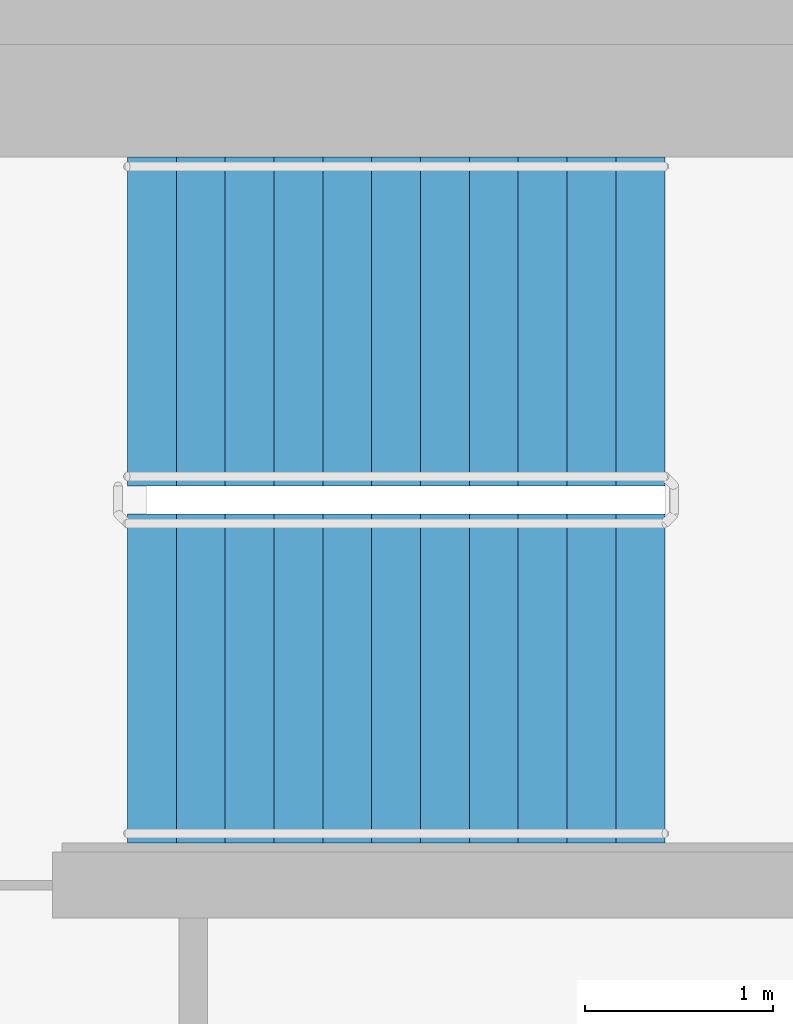
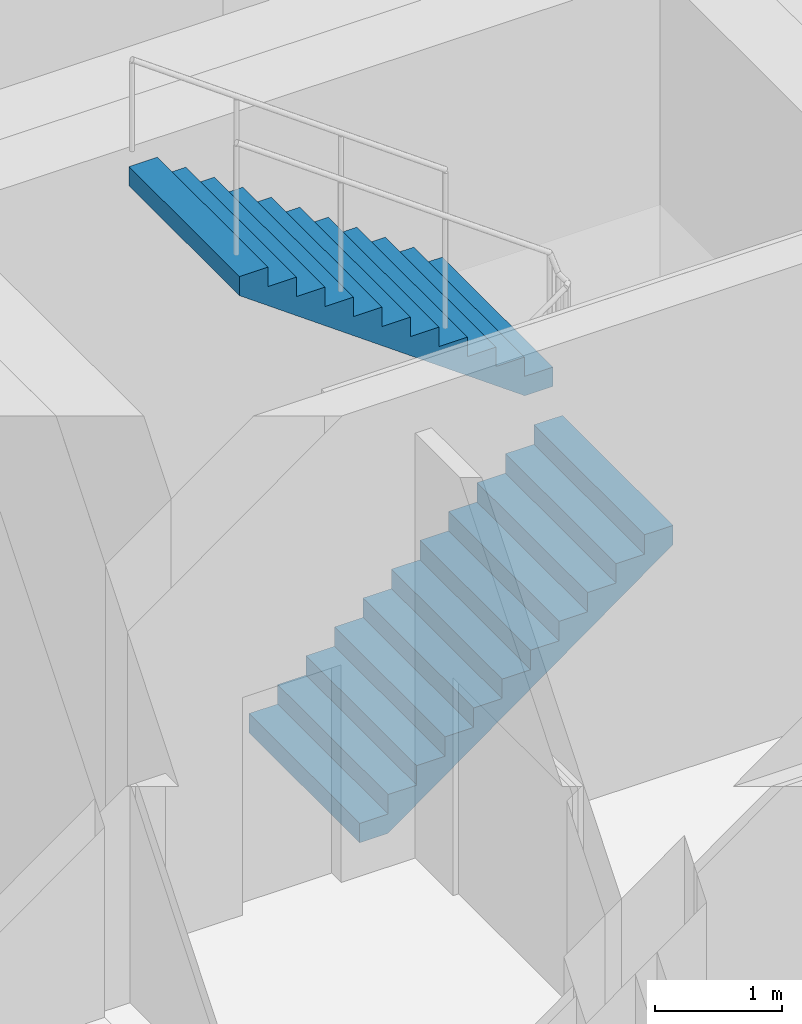
# One storey, part 12 of 16: 2 stair flights, 1 element without a shape of its own.
"""IFC4 building model written with IfcOpenShell, lengths in metres."""

import ifcopenshell
import ifcopenshell.guid

model = None  # the IFC model being written
_history = None  # IfcOwnerHistory: only IFC2X3 demands one
_inside = {}  # id of a spatial element -> (the spatial element, [elements in it])
_under = {}  # id of a project, library or spatial element -> (it, [spatial elements below it])
_declared = {}  # id of a project -> (the project, [libraries it declares])
_typed = {}  # id of a type object -> (the type object, [elements of that type])
_made_of = {}  # id of a material, layer set ... -> (it, [elements and type objects made of it])


def new_model(schema):
    """Start an empty IFC model of exactly this schema.

    Asked for "IFC4X3", IfcOpenShell would pick the latest addendum, in which some entities
    have other attributes; the version numbers below select the first issue.
    IFC2X3 requires an IfcOwnerHistory on every rooted entity: one is made here for all.
    """
    global model, _history
    if schema == "IFC4X3":
        model = ifcopenshell.file(schema_version=(4, 3, 0, 0))
    else:
        model = ifcopenshell.file(schema=schema)
    _inside.clear()
    _under.clear()
    _declared.clear()
    _typed.clear()
    _made_of.clear()
    _history = None
    if model.schema == "IFC2X3":
        org = make("IfcOrganization", Name="unknown")
        user = make(
            "IfcPersonAndOrganization",
            ThePerson=make("IfcPerson", FamilyName="unknown"),
            TheOrganization=org,
        )
        app = make(
            "IfcApplication",
            ApplicationDeveloper=org,
            Version="unknown",
            ApplicationFullName="unknown",
            ApplicationIdentifier="unknown",
        )
        _history = make(
            "IfcOwnerHistory",
            OwningUser=user,
            OwningApplication=app,
            ChangeAction="ADDED",
            CreationDate=0,
        )
    return model


def make(cls, **values):
    """One entity of the class cls with the attributes given. An attribute that is None is left unset."""
    return model.create_entity(
        cls, **{name: value for name, value in values.items() if value is not None}
    )


def rooted(cls, **values):
    """An entity with a GlobalId (a new one), such as an element, a storey or a relation."""
    return make(cls, GlobalId=ifcopenshell.guid.new(), OwnerHistory=_history, **values)


def si_unit(unit_type, name, prefix=None):
    """IfcSIUnit, for example si_unit("LENGTHUNIT", "METRE", prefix="MILLI")."""
    return make("IfcSIUnit", UnitType=unit_type, Prefix=prefix, Name=name)


def assignment(units):
    """IfcUnitAssignment: the units of a project."""
    return None if units is None else make("IfcUnitAssignment", Units=units)


def point(xyz):
    """IfcCartesianPoint."""
    return None if xyz is None else make("IfcCartesianPoint", Coordinates=xyz)


def direction(xyz):
    """IfcDirection."""
    return None if xyz is None else make("IfcDirection", DirectionRatios=xyz)


def frame(location, z_axis=None, x_axis=None):
    """IfcAxis2Placement3D, a coordinate frame: its origin and axes. An axis left out is left unset."""
    return make(
        "IfcAxis2Placement3D",
        Location=point(location),
        Axis=direction(z_axis),
        RefDirection=direction(x_axis),
    )


def origin():
    """The frame at (0, 0, 0) with its axes left unset."""
    return frame((0.0, 0.0, 0.0))


def place(relative_to, where):
    """IfcLocalPlacement: puts the frame where relative to a parent placement (None: the world)."""
    return make(
        "IfcLocalPlacement", PlacementRelTo=relative_to, RelativePlacement=where
    )


def context(
    kind, dimensions, precision=None, world=None, true_north=None, identifier=None
):
    """IfcGeometricRepresentationContext, for example the 3D "Model" context."""
    return make(
        "IfcGeometricRepresentationContext",
        ContextIdentifier=identifier,
        ContextType=kind,
        CoordinateSpaceDimension=dimensions,
        Precision=precision,
        WorldCoordinateSystem=world,
        TrueNorth=true_north,
    )


def subcontext(parent, identifier, kind, view, scale=None):
    """IfcGeometricRepresentationSubContext, for example "Body" below "Model"."""
    return make(
        "IfcGeometricRepresentationSubContext",
        ContextIdentifier=identifier,
        ContextType=kind,
        ParentContext=parent,
        TargetScale=scale,
        TargetView=view,
    )


def project(units=None, contexts=None):
    """IfcProject with its units and contexts."""
    return rooted(
        "IfcProject",
        Name="project",
        RepresentationContexts=contexts,
        UnitsInContext=assignment(units),
    )


def spatial(cls, under=None, at=None, **own):
    """A site, building, storey or space (cls), placed at a placement, below another one or the project."""
    s = rooted(cls, ObjectPlacement=at, **own)
    if under is not None:
        _under.setdefault(under.id(), (under, []))[1].append(s)
    return s


def faces_of(points, faces, orient=None, outer=None):
    """IfcFace entities. A face is a list of loops; a loop is a list of indices into points, from 0.

    orient and outer hold one flag for each loop. By default every Orientation is true, the
    first loop of a face is its IfcFaceOuterBound and the others are IfcFaceBound.
    """
    made = []
    for i, loops in enumerate(faces):
        bounds = []
        for j, loop in enumerate(loops):
            is_outer = j == 0 if outer is None else outer[i][j]
            bounds.append(
                make(
                    "IfcFaceOuterBound" if is_outer else "IfcFaceBound",
                    Bound=make("IfcPolyLoop", Polygon=[points[k] for k in loop]),
                    Orientation=True if orient is None else orient[i][j],
                )
            )
        made.append(make("IfcFace", Bounds=bounds))
    return made


def faceted_brep(points, faces, orient=None, outer=None, voids=None):
    """IfcFacetedBrep: a solid bounded by flat faces; with voids (closed shells), ...WithVoids."""
    shared = [point(p) for p in points]
    hull = make("IfcClosedShell", CfsFaces=faces_of(shared, faces, orient, outer))
    if voids is None:
        return make("IfcFacetedBrep", Outer=hull)
    return make(
        "IfcFacetedBrepWithVoids",
        Outer=hull,
        Voids=[
            make(cls, CfsFaces=faces_of(shared, fs, o, b)) for cls, fs, o, b in voids
        ],
    )


def shape(context_of_items, identifier, shape_type, items):
    """IfcShapeRepresentation: the items that make up one representation, for example the "Body"."""
    return make(
        "IfcShapeRepresentation",
        ContextOfItems=context_of_items,
        RepresentationIdentifier=identifier,
        RepresentationType=shape_type,
        Items=items,
    )


def material(Name=None, Category=None):
    """IfcMaterial."""
    return make("IfcMaterial", Name=Name, Category=Category)


def made_of(thing, what):
    """Note that an element or type object is made of a material, layer set ...; save() writes the relation."""
    if what is not None:
        _made_of.setdefault(what.id(), (what, []))[1].append(thing)
    return thing


def type_object(cls, material=None, **own):
    """A type object (cls), such as IfcWallType, which elements share."""
    return made_of(rooted(cls, **own), material)


def element(
    cls,
    number,
    at=None,
    inside=None,
    cuts=None,
    type_object=None,
    material=None,
    context=None,
    identifier="Body",
    shape_type=None,
    held_by="IfcProductDefinitionShape",
    body=None,
    shapes=None,
    **own,
):
    """One element of the class cls, such as IfcWall. Its Tag is "e" and its number.

    at: its placement. inside: the storey or other place that contains it. cuts: it is an
    opening in that element (IfcRelVoidsElement). A single representation is given by context,
    identifier, shape_type and body (its items); several are given by shapes. held_by: the class
    of the entity that holds the representations. save() writes the other relations.
    """
    e = rooted(cls, Tag="e%d" % number, ObjectPlacement=at, **own)
    if body is not None:
        shapes = [shape(context, identifier, shape_type, body)]
    if shapes is not None:
        e.Representation = make(held_by, Representations=shapes)
    if inside is not None:
        _inside.setdefault(inside.id(), (inside, []))[1].append(e)
    if cuts is not None:
        rooted(
            "IfcRelVoidsElement", RelatingBuildingElement=cuts, RelatedOpeningElement=e
        )
    if type_object is not None:
        _typed.setdefault(type_object.id(), (type_object, []))[1].append(e)
    return made_of(e, material)


def aggregate(whole, parts):
    """IfcRelAggregates: a whole, such as a stair, and the parts it consists of."""
    return rooted("IfcRelAggregates", RelatingObject=whole, RelatedObjects=parts)


def save(model, path):
    """Write the relations noted so far, then the file.

    IfcRelAggregates (storeys below a building ...), IfcRelContainedInSpatialStructure (elements
    in a storey), IfcRelDefinesByType, IfcRelAssociatesMaterial and IfcRelDeclares: one each for
    every whole, place, type object, material and project.
    """
    for whole, parts in _under.values():
        aggregate(whole, parts)
    for where, things in _inside.values():
        rooted(
            "IfcRelContainedInSpatialStructure",
            RelatedElements=things,
            RelatingStructure=where,
        )
    for kind, things in _typed.values():
        rooted("IfcRelDefinesByType", RelatedObjects=things, RelatingType=kind)
    for what, things in _made_of.values():
        rooted("IfcRelAssociatesMaterial", RelatedObjects=things, RelatingMaterial=what)
    for by, libraries in _declared.values():
        rooted("IfcRelDeclares", RelatingContext=by, RelatedDefinitions=libraries)
    model.write(path)


model = new_model("IFC4")

# Units and contexts
model_context = context("Model", 3, precision=1e-05, world=origin(), true_north=direction((0.0, 1.0)))
body_context = subcontext(model_context, "Body", "Model", "MODEL_VIEW")
ifc_project = project(units=[si_unit("LENGTHUNIT", "METRE"), si_unit("AREAUNIT", "SQUARE_METRE"), si_unit("VOLUMEUNIT", "CUBIC_METRE"), si_unit("PLANEANGLEUNIT", "RADIAN"), si_unit("MASSUNIT", "GRAM", prefix="KILO")], contexts=[model_context])

# Site, building, storey
site_placement = place(None, origin())
site = spatial("IfcSite", under=ifc_project, at=site_placement, CompositionType="ELEMENT")
building_placement = place(site_placement, origin())
building = spatial("IfcBuilding", under=site, at=building_placement, Name="Ipe Terrace Towers", CompositionType="ELEMENT")
storey_placement = place(building_placement, frame((0.0, 0.0, 233.39990234375)))
storey = spatial("IfcBuildingStorey", under=building, at=storey_placement, Name="L65", CompositionType="ELEMENT", Elevation=233.39990234375)

# Stair, stair flights
ifc_material_1 = material(Name="Concrete C30/37", Category="concrete")
stair_type = type_object("IfcStairType", Name="Protected exit stair", PredefinedType="HALF_TURN_STAIR", material=ifc_material_1)
stair_placement = place(storey_placement, origin())
stair = element("IfcStair", 1, at=stair_placement, inside=storey, type_object=stair_type, Name="L65 Exit stair T1-C1", PredefinedType="HALF_TURN_STAIR")
ifc_material_2 = material(Name="Concrete C30/37", Category="concrete")
stair_flight_type = type_object("IfcStairFlightType", Name="Exit stair flight 1750", PredefinedType="STRAIGHT", material=ifc_material_2)
stair_flight_1_placement = place(storey_placement, frame((-26.300048828125, 2.77490234375, 0.0), z_axis=(0.0, 0.0, 1.0), x_axis=(1.0, 0.0, 0.0)))
stair_flight_1 = element("IfcStairFlight", 2, at=stair_flight_1_placement, type_object=stair_flight_type, Name="T1-ST1 flight 1", NumberOfRisers=12, NumberOfTreads=11, PredefinedType="STRAIGHT", RiserHeight=0.1875, TreadLength=0.26, context=body_context, shape_type="Brep", body=[
    faceted_brep([(0.25634765625, -0.875, 0.0), (2.860107421875, -0.875, 1.877685546875), (2.860107421875, -0.875, 2.0625), (2.60009765625, -0.875, 2.0625), (2.60009765625, -0.875, 1.875), (2.340087890625, -0.875, 1.875), (2.340087890625, -0.875, 1.6875), (2.080078125, -0.875, 1.6875), (2.080078125, -0.875, 1.5), (1.820068359375, -0.875, 1.5), (1.820068359375, -0.875, 1.3125), (1.56005859375, -0.875, 1.3125), (1.56005859375, -0.875, 1.125), (1.300048828125, -0.875, 1.125), (1.300048828125, -0.875, 0.9375), (1.0400390625, -0.875, 0.9375), (1.0400390625, -0.875, 0.75), (0.780029296875, -0.875, 0.75), (0.780029296875, -0.875, 0.5625), (0.52001953125, -0.875, 0.5625), (0.52001953125, -0.875, 0.375), (0.260009765625, -0.875, 0.375), (0.260009765625, -0.875, 0.1875), (0.0, -0.875, 0.1875), (0.0, -0.875, 0.0), (0.0, 0.875, 0.0), (0.0, 0.875, 0.1875), (0.260009765625, 0.875, 0.1875), (0.260009765625, 0.875, 0.375), (0.52001953125, 0.875, 0.375), (0.52001953125, 0.875, 0.5625), (0.780029296875, 0.875, 0.5625), (0.780029296875, 0.875, 0.75), (1.0400390625, 0.875, 0.75), (1.0400390625, 0.875, 0.9375), (1.300048828125, 0.875, 0.9375), (1.300048828125, 0.875, 1.125), (1.56005859375, 0.875, 1.125), (1.56005859375, 0.875, 1.3125), (1.820068359375, 0.875, 1.3125), (1.820068359375, 0.875, 1.5), (2.080078125, 0.875, 1.5), (2.080078125, 0.875, 1.6875), (2.340087890625, 0.875, 1.6875), (2.340087890625, 0.875, 1.875), (2.60009765625, 0.875, 1.875), (2.60009765625, 0.875, 2.0625), (2.860107421875, 0.875, 2.0625), (2.860107421875, 0.875, 1.877685546875), (0.25634765625, 0.875, 0.0), (0.0, -0.300048828125, 0.1875), (0.0, -0.1201171875, 0.1875), (0.0, -0.06005859375, 0.1875), (0.0, -0.030029296875, 0.1875), (0.0, -0.010009765625, 0.1875), (0.0, 0.0, 0.1875), (0.0, 0.010009765625, 0.1875), (0.0, 0.030029296875, 0.1875), (0.0, 0.06005859375, 0.1875), (0.0, 0.1201171875, 0.1875), (0.0, 0.300048828125, 0.1875), (0.0, 0.300048828125, 0.0), (0.0, 0.1201171875, 0.0), (0.0, 0.06005859375, 0.0), (0.0, 0.030029296875, 0.0), (0.0, 0.010009765625, 0.0), (0.0, 0.0, 0.0), (0.0, -0.010009765625, 0.0), (0.0, -0.030029296875, 0.0), (0.0, -0.06005859375, 0.0), (0.0, -0.1201171875, 0.0), (0.0, -0.300048828125, 0.0), (0.260009765625, -0.300048828125, 0.1875), (0.260009765625, -0.1201171875, 0.1875), (0.260009765625, -0.06005859375, 0.1875), (0.260009765625, -0.030029296875, 0.1875), (0.260009765625, -0.010009765625, 0.1875), (0.260009765625, 0.0, 0.1875), (0.260009765625, 0.010009765625, 0.1875), (0.260009765625, 0.030029296875, 0.1875), (0.260009765625, 0.06005859375, 0.1875), (0.260009765625, 0.1201171875, 0.1875), (0.260009765625, 0.300048828125, 0.1875), (0.260009765625, -0.300048828125, 0.375), (0.260009765625, -0.1201171875, 0.375), (0.260009765625, -0.06005859375, 0.375), (0.260009765625, -0.030029296875, 0.375), (0.260009765625, -0.010009765625, 0.375), (0.260009765625, 0.0, 0.375), (0.260009765625, 0.010009765625, 0.375), (0.260009765625, 0.030029296875, 0.375), (0.260009765625, 0.06005859375, 0.375), (0.260009765625, 0.1201171875, 0.375), (0.260009765625, 0.300048828125, 0.375), (0.52001953125, -0.300048828125, 0.375), (0.52001953125, -0.1201171875, 0.375), (0.52001953125, -0.06005859375, 0.375), (0.52001953125, -0.030029296875, 0.375), (0.52001953125, -0.010009765625, 0.375), (0.52001953125, 0.0, 0.375), (0.52001953125, 0.010009765625, 0.375), (0.52001953125, 0.030029296875, 0.375), (0.52001953125, 0.06005859375, 0.375), (0.52001953125, 0.1201171875, 0.375), (0.52001953125, 0.300048828125, 0.375), (0.52001953125, -0.300048828125, 0.5625), (0.52001953125, -0.1201171875, 0.5625), (0.52001953125, -0.06005859375, 0.5625), (0.52001953125, -0.030029296875, 0.5625), (0.52001953125, -0.010009765625, 0.5625), (0.52001953125, 0.0, 0.5625), (0.52001953125, 0.010009765625, 0.5625), (0.52001953125, 0.030029296875, 0.5625), (0.52001953125, 0.06005859375, 0.5625), (0.52001953125, 0.1201171875, 0.5625), (0.52001953125, 0.300048828125, 0.5625), (0.780029296875, -0.300048828125, 0.5625), (0.780029296875, -0.1201171875, 0.5625), (0.780029296875, -0.06005859375, 0.5625), (0.780029296875, -0.030029296875, 0.5625), (0.780029296875, -0.010009765625, 0.5625), (0.780029296875, 0.0, 0.5625), (0.780029296875, 0.010009765625, 0.5625), (0.780029296875, 0.030029296875, 0.5625), (0.780029296875, 0.06005859375, 0.5625), (0.780029296875, 0.1201171875, 0.5625), (0.780029296875, 0.300048828125, 0.5625), (0.780029296875, -0.300048828125, 0.75), (0.780029296875, -0.1201171875, 0.75), (0.780029296875, -0.06005859375, 0.75), (0.780029296875, -0.030029296875, 0.75), (0.780029296875, -0.010009765625, 0.75), (0.780029296875, 0.0, 0.75), (0.780029296875, 0.010009765625, 0.75), (0.780029296875, 0.030029296875, 0.75), (0.780029296875, 0.06005859375, 0.75), (0.780029296875, 0.1201171875, 0.75), (0.780029296875, 0.300048828125, 0.75), (1.0400390625, -0.300048828125, 0.75), (1.0400390625, -0.1201171875, 0.75), (1.0400390625, -0.06005859375, 0.75), (1.0400390625, -0.030029296875, 0.75), (1.0400390625, -0.010009765625, 0.75), (1.0400390625, 0.0, 0.75), (1.0400390625, 0.010009765625, 0.75), (1.0400390625, 0.030029296875, 0.75), (1.0400390625, 0.06005859375, 0.75), (1.0400390625, 0.1201171875, 0.75), (1.0400390625, 0.300048828125, 0.75), (1.0400390625, -0.300048828125, 0.9375), (1.0400390625, -0.1201171875, 0.9375), (1.0400390625, -0.06005859375, 0.9375), (1.0400390625, -0.030029296875, 0.9375), (1.0400390625, -0.010009765625, 0.9375), (1.0400390625, 0.0, 0.9375), (1.0400390625, 0.010009765625, 0.9375), (1.0400390625, 0.030029296875, 0.9375), (1.0400390625, 0.06005859375, 0.9375), (1.0400390625, 0.1201171875, 0.9375), (1.0400390625, 0.300048828125, 0.9375), (1.300048828125, -0.300048828125, 0.9375), (1.300048828125, -0.1201171875, 0.9375), (1.300048828125, -0.06005859375, 0.9375), (1.300048828125, -0.030029296875, 0.9375), (1.300048828125, -0.010009765625, 0.9375), (1.300048828125, 0.0, 0.9375), (1.300048828125, 0.010009765625, 0.9375), (1.300048828125, 0.030029296875, 0.9375), (1.300048828125, 0.06005859375, 0.9375), (1.300048828125, 0.1201171875, 0.9375), (1.300048828125, 0.300048828125, 0.9375), (1.300048828125, -0.300048828125, 1.125), (1.300048828125, -0.1201171875, 1.125), (1.300048828125, -0.06005859375, 1.125), (1.300048828125, -0.030029296875, 1.125), (1.300048828125, -0.010009765625, 1.125), (1.300048828125, 0.0, 1.125), (1.300048828125, 0.010009765625, 1.125), (1.300048828125, 0.030029296875, 1.125), (1.300048828125, 0.06005859375, 1.125), (1.300048828125, 0.1201171875, 1.125), (1.300048828125, 0.300048828125, 1.125), (1.56005859375, -0.300048828125, 1.125), (1.56005859375, -0.1201171875, 1.125), (1.56005859375, -0.06005859375, 1.125), (1.56005859375, -0.030029296875, 1.125), (1.56005859375, -0.010009765625, 1.125), (1.56005859375, 0.0, 1.125), (1.56005859375, 0.010009765625, 1.125), (1.56005859375, 0.030029296875, 1.125), (1.56005859375, 0.06005859375, 1.125), (1.56005859375, 0.1201171875, 1.125), (1.56005859375, 0.300048828125, 1.125), (1.56005859375, -0.300048828125, 1.3125), (1.56005859375, -0.1201171875, 1.3125), (1.56005859375, -0.06005859375, 1.3125), (1.56005859375, -0.030029296875, 1.3125), (1.56005859375, -0.010009765625, 1.3125), (1.56005859375, 0.0, 1.3125), (1.56005859375, 0.010009765625, 1.3125), (1.56005859375, 0.030029296875, 1.3125), (1.56005859375, 0.06005859375, 1.3125), (1.56005859375, 0.1201171875, 1.3125), (1.56005859375, 0.300048828125, 1.3125), (1.820068359375, -0.300048828125, 1.3125), (1.820068359375, -0.1201171875, 1.3125), (1.820068359375, -0.06005859375, 1.3125), (1.820068359375, -0.030029296875, 1.3125), (1.820068359375, -0.010009765625, 1.3125), (1.820068359375, 0.0, 1.3125), (1.820068359375, 0.010009765625, 1.3125), (1.820068359375, 0.030029296875, 1.3125), (1.820068359375, 0.06005859375, 1.3125), (1.820068359375, 0.1201171875, 1.3125), (1.820068359375, 0.300048828125, 1.3125), (1.820068359375, -0.300048828125, 1.5), (1.820068359375, -0.1201171875, 1.5), (1.820068359375, -0.06005859375, 1.5), (1.820068359375, -0.030029296875, 1.5), (1.820068359375, -0.010009765625, 1.5), (1.820068359375, 0.0, 1.5), (1.820068359375, 0.010009765625, 1.5), (1.820068359375, 0.030029296875, 1.5), (1.820068359375, 0.06005859375, 1.5), (1.820068359375, 0.1201171875, 1.5), (1.820068359375, 0.300048828125, 1.5), (2.080078125, -0.300048828125, 1.5), (2.080078125, -0.1201171875, 1.5), (2.080078125, -0.06005859375, 1.5), (2.080078125, -0.030029296875, 1.5), (2.080078125, -0.010009765625, 1.5), (2.080078125, 0.0, 1.5), (2.080078125, 0.010009765625, 1.5), (2.080078125, 0.030029296875, 1.5), (2.080078125, 0.06005859375, 1.5), (2.080078125, 0.1201171875, 1.5), (2.080078125, 0.300048828125, 1.5), (2.080078125, -0.300048828125, 1.6875), (2.080078125, -0.1201171875, 1.6875), (2.080078125, -0.06005859375, 1.6875), (2.080078125, -0.030029296875, 1.6875), (2.080078125, -0.010009765625, 1.6875), (2.080078125, 0.0, 1.6875), (2.080078125, 0.010009765625, 1.6875), (2.080078125, 0.030029296875, 1.6875), (2.080078125, 0.06005859375, 1.6875), (2.080078125, 0.1201171875, 1.6875), (2.080078125, 0.300048828125, 1.6875), (2.340087890625, -0.300048828125, 1.6875), (2.340087890625, -0.1201171875, 1.6875), (2.340087890625, -0.06005859375, 1.6875), (2.340087890625, -0.030029296875, 1.6875), (2.340087890625, -0.010009765625, 1.6875), (2.340087890625, 0.0, 1.6875), (2.340087890625, 0.010009765625, 1.6875), (2.340087890625, 0.030029296875, 1.6875), (2.340087890625, 0.06005859375, 1.6875), (2.340087890625, 0.1201171875, 1.6875), (2.340087890625, 0.300048828125, 1.6875), (2.340087890625, -0.300048828125, 1.875), (2.340087890625, -0.1201171875, 1.875), (2.340087890625, -0.06005859375, 1.875), (2.340087890625, -0.030029296875, 1.875), (2.340087890625, -0.010009765625, 1.875), (2.340087890625, 0.0, 1.875), (2.340087890625, 0.010009765625, 1.875), (2.340087890625, 0.030029296875, 1.875), (2.340087890625, 0.06005859375, 1.875), (2.340087890625, 0.1201171875, 1.875), (2.340087890625, 0.300048828125, 1.875), (2.60009765625, -0.300048828125, 1.875), (2.60009765625, -0.1201171875, 1.875), (2.60009765625, -0.06005859375, 1.875), (2.60009765625, -0.030029296875, 1.875), (2.60009765625, -0.010009765625, 1.875), (2.60009765625, 0.0, 1.875), (2.60009765625, 0.010009765625, 1.875), (2.60009765625, 0.030029296875, 1.875), (2.60009765625, 0.06005859375, 1.875), (2.60009765625, 0.1201171875, 1.875), (2.60009765625, 0.300048828125, 1.875), (2.60009765625, -0.300048828125, 2.0625), (2.60009765625, -0.1201171875, 2.0625), (2.60009765625, -0.06005859375, 2.0625), (2.60009765625, -0.030029296875, 2.0625), (2.60009765625, -0.010009765625, 2.0625), (2.60009765625, 0.0, 2.0625), (2.60009765625, 0.010009765625, 2.0625), (2.60009765625, 0.030029296875, 2.0625), (2.60009765625, 0.06005859375, 2.0625), (2.60009765625, 0.1201171875, 2.0625), (2.60009765625, 0.300048828125, 2.0625), (2.860107421875, -0.300048828125, 2.0625), (2.860107421875, -0.1201171875, 2.0625), (2.860107421875, -0.06005859375, 2.0625), (2.860107421875, -0.030029296875, 2.0625), (2.860107421875, -0.010009765625, 2.0625), (2.860107421875, 0.0, 2.0625), (2.860107421875, 0.010009765625, 2.0625), (2.860107421875, 0.030029296875, 2.0625), (2.860107421875, 0.06005859375, 2.0625), (2.860107421875, 0.1201171875, 2.0625), (2.860107421875, 0.300048828125, 2.0625), (2.860107421875, -0.300048828125, 1.877685546875), (2.860107421875, -0.1201171875, 1.877685546875), (2.860107421875, -0.06005859375, 1.877685546875), (2.860107421875, -0.030029296875, 1.877685546875), (2.860107421875, -0.010009765625, 1.877685546875), (2.860107421875, 0.0, 1.877685546875), (2.860107421875, 0.010009765625, 1.877685546875), (2.860107421875, 0.030029296875, 1.877685546875), (2.860107421875, 0.06005859375, 1.877685546875), (2.860107421875, 0.1201171875, 1.877685546875), (2.860107421875, 0.300048828125, 1.877685546875), (0.25634765625, -0.300048828125, 0.0), (0.25634765625, -0.1201171875, 0.0), (0.25634765625, -0.06005859375, 0.0), (0.25634765625, -0.030029296875, 0.0), (0.25634765625, -0.010009765625, 0.0), (0.25634765625, 0.0, 0.0), (0.25634765625, 0.010009765625, 0.0), (0.25634765625, 0.030029296875, 0.0), (0.25634765625, 0.06005859375, 0.0), (0.25634765625, 0.1201171875, 0.0), (0.25634765625, 0.300048828125, 0.0)], [[[0, 1, 2, 3, 4, 5, 6, 7, 8, 9, 10, 11, 12, 13, 14, 15, 16, 17, 18, 19, 20, 21, 22, 23, 24]], [[25, 26, 27, 28, 29, 30, 31, 32, 33, 34, 35, 36, 37, 38, 39, 40, 41, 42, 43, 44, 45, 46, 47, 48, 49]], [[23, 50, 51, 52, 53, 54, 55, 56, 57, 58, 59, 60, 26, 25, 61, 62, 63, 64, 65, 66, 67, 68, 69, 70, 71, 24]], [[22, 72, 73, 74, 75, 76, 77, 78, 79, 80, 81, 82, 27, 26, 60, 59, 58, 57, 56, 55, 54, 53, 52, 51, 50, 23]], [[21, 83, 84, 85, 86, 87, 88, 89, 90, 91, 92, 93, 28, 27, 82, 81, 80, 79, 78, 77, 76, 75, 74, 73, 72, 22]], [[20, 94, 95, 96, 97, 98, 99, 100, 101, 102, 103, 104, 29, 28, 93, 92, 91, 90, 89, 88, 87, 86, 85, 84, 83, 21]], [[19, 105, 106, 107, 108, 109, 110, 111, 112, 113, 114, 115, 30, 29, 104, 103, 102, 101, 100, 99, 98, 97, 96, 95, 94, 20]], [[18, 116, 117, 118, 119, 120, 121, 122, 123, 124, 125, 126, 31, 30, 115, 114, 113, 112, 111, 110, 109, 108, 107, 106, 105, 19]], [[17, 127, 128, 129, 130, 131, 132, 133, 134, 135, 136, 137, 32, 31, 126, 125, 124, 123, 122, 121, 120, 119, 118, 117, 116, 18]], [[16, 138, 139, 140, 141, 142, 143, 144, 145, 146, 147, 148, 33, 32, 137, 136, 135, 134, 133, 132, 131, 130, 129, 128, 127, 17]], [[15, 149, 150, 151, 152, 153, 154, 155, 156, 157, 158, 159, 34, 33, 148, 147, 146, 145, 144, 143, 142, 141, 140, 139, 138, 16]], [[14, 160, 161, 162, 163, 164, 165, 166, 167, 168, 169, 170, 35, 34, 159, 158, 157, 156, 155, 154, 153, 152, 151, 150, 149, 15]], [[13, 171, 172, 173, 174, 175, 176, 177, 178, 179, 180, 181, 36, 35, 170, 169, 168, 167, 166, 165, 164, 163, 162, 161, 160, 14]], [[12, 182, 183, 184, 185, 186, 187, 188, 189, 190, 191, 192, 37, 36, 181, 180, 179, 178, 177, 176, 175, 174, 173, 172, 171, 13]], [[11, 193, 194, 195, 196, 197, 198, 199, 200, 201, 202, 203, 38, 37, 192, 191, 190, 189, 188, 187, 186, 185, 184, 183, 182, 12]], [[10, 204, 205, 206, 207, 208, 209, 210, 211, 212, 213, 214, 39, 38, 203, 202, 201, 200, 199, 198, 197, 196, 195, 194, 193, 11]], [[9, 215, 216, 217, 218, 219, 220, 221, 222, 223, 224, 225, 40, 39, 214, 213, 212, 211, 210, 209, 208, 207, 206, 205, 204, 10]], [[8, 226, 227, 228, 229, 230, 231, 232, 233, 234, 235, 236, 41, 40, 225, 224, 223, 222, 221, 220, 219, 218, 217, 216, 215, 9]], [[7, 237, 238, 239, 240, 241, 242, 243, 244, 245, 246, 247, 42, 41, 236, 235, 234, 233, 232, 231, 230, 229, 228, 227, 226, 8]], [[6, 248, 249, 250, 251, 252, 253, 254, 255, 256, 257, 258, 43, 42, 247, 246, 245, 244, 243, 242, 241, 240, 239, 238, 237, 7]], [[5, 259, 260, 261, 262, 263, 264, 265, 266, 267, 268, 269, 44, 43, 258, 257, 256, 255, 254, 253, 252, 251, 250, 249, 248, 6]], [[4, 270, 271, 272, 273, 274, 275, 276, 277, 278, 279, 280, 45, 44, 269, 268, 267, 266, 265, 264, 263, 262, 261, 260, 259, 5]], [[3, 281, 282, 283, 284, 285, 286, 287, 288, 289, 290, 291, 46, 45, 280, 279, 278, 277, 276, 275, 274, 273, 272, 271, 270, 4]], [[2, 292, 293, 294, 295, 296, 297, 298, 299, 300, 301, 302, 47, 46, 291, 290, 289, 288, 287, 286, 285, 284, 283, 282, 281, 3]], [[1, 303, 304, 305, 306, 307, 308, 309, 310, 311, 312, 313, 48, 47, 302, 301, 300, 299, 298, 297, 296, 295, 294, 293, 292, 2]], [[0, 314, 315, 316, 317, 318, 319, 320, 321, 322, 323, 324, 49, 48, 313, 312, 311, 310, 309, 308, 307, 306, 305, 304, 303, 1]], [[24, 71, 70, 69, 68, 67, 66, 65, 64, 63, 62, 61, 25, 49, 324, 323, 322, 321, 320, 319, 318, 317, 316, 315, 314, 0]]]),
])
stair_flight_2_placement = place(storey_placement, frame((-23.43994140625, 4.675048828125, 2.25), z_axis=(0.0, 0.0, 1.0), x_axis=(-1.0, 0.0, 0.0)))
stair_flight_2 = element("IfcStairFlight", 3, at=stair_flight_2_placement, type_object=stair_flight_type, Name="T1-ST1 flight 2", NumberOfRisers=12, NumberOfTreads=11, PredefinedType="STRAIGHT", RiserHeight=0.1875, TreadLength=0.26, context=body_context, shape_type="Brep", body=[
    faceted_brep([(0.25634765625, -0.875, 0.0), (2.860107421875, -0.875, 1.877685546875), (2.860107421875, -0.875, 2.0625), (2.60009765625, -0.875, 2.0625), (2.60009765625, -0.875, 1.875), (2.340087890625, -0.875, 1.875), (2.340087890625, -0.875, 1.6875), (2.080078125, -0.875, 1.6875), (2.080078125, -0.875, 1.5), (1.820068359375, -0.875, 1.5), (1.820068359375, -0.875, 1.3125), (1.56005859375, -0.875, 1.3125), (1.56005859375, -0.875, 1.125), (1.300048828125, -0.875, 1.125), (1.300048828125, -0.875, 0.9375), (1.0400390625, -0.875, 0.9375), (1.0400390625, -0.875, 0.75), (0.780029296875, -0.875, 0.75), (0.780029296875, -0.875, 0.5625), (0.52001953125, -0.875, 0.5625), (0.52001953125, -0.875, 0.375), (0.260009765625, -0.875, 0.375), (0.260009765625, -0.875, 0.1875), (0.0, -0.875, 0.1875), (0.0, -0.875, 0.0), (0.0, 0.875, 0.0), (0.0, 0.875, 0.1875), (0.260009765625, 0.875, 0.1875), (0.260009765625, 0.875, 0.375), (0.52001953125, 0.875, 0.375), (0.52001953125, 0.875, 0.5625), (0.780029296875, 0.875, 0.5625), (0.780029296875, 0.875, 0.75), (1.0400390625, 0.875, 0.75), (1.0400390625, 0.875, 0.9375), (1.300048828125, 0.875, 0.9375), (1.300048828125, 0.875, 1.125), (1.56005859375, 0.875, 1.125), (1.56005859375, 0.875, 1.3125), (1.820068359375, 0.875, 1.3125), (1.820068359375, 0.875, 1.5), (2.080078125, 0.875, 1.5), (2.080078125, 0.875, 1.6875), (2.340087890625, 0.875, 1.6875), (2.340087890625, 0.875, 1.875), (2.60009765625, 0.875, 1.875), (2.60009765625, 0.875, 2.0625), (2.860107421875, 0.875, 2.0625), (2.860107421875, 0.875, 1.877685546875), (0.25634765625, 0.875, 0.0), (0.0, -0.300048828125, 0.1875), (0.0, -0.1201171875, 0.1875), (0.0, -0.06005859375, 0.1875), (0.0, -0.030029296875, 0.1875), (0.0, -0.010009765625, 0.1875), (0.0, 0.0, 0.1875), (0.0, 0.010009765625, 0.1875), (0.0, 0.030029296875, 0.1875), (0.0, 0.06005859375, 0.1875), (0.0, 0.1201171875, 0.1875), (0.0, 0.300048828125, 0.1875), (0.0, 0.300048828125, 0.0), (0.0, 0.1201171875, 0.0), (0.0, 0.06005859375, 0.0), (0.0, 0.030029296875, 0.0), (0.0, 0.010009765625, 0.0), (0.0, 0.0, 0.0), (0.0, -0.010009765625, 0.0), (0.0, -0.030029296875, 0.0), (0.0, -0.06005859375, 0.0), (0.0, -0.1201171875, 0.0), (0.0, -0.300048828125, 0.0), (0.260009765625, -0.300048828125, 0.1875), (0.260009765625, -0.1201171875, 0.1875), (0.260009765625, -0.06005859375, 0.1875), (0.260009765625, -0.030029296875, 0.1875), (0.260009765625, -0.010009765625, 0.1875), (0.260009765625, 0.0, 0.1875), (0.260009765625, 0.010009765625, 0.1875), (0.260009765625, 0.030029296875, 0.1875), (0.260009765625, 0.06005859375, 0.1875), (0.260009765625, 0.1201171875, 0.1875), (0.260009765625, 0.300048828125, 0.1875), (0.260009765625, -0.300048828125, 0.375), (0.260009765625, -0.1201171875, 0.375), (0.260009765625, -0.06005859375, 0.375), (0.260009765625, -0.030029296875, 0.375), (0.260009765625, -0.010009765625, 0.375), (0.260009765625, 0.0, 0.375), (0.260009765625, 0.010009765625, 0.375), (0.260009765625, 0.030029296875, 0.375), (0.260009765625, 0.06005859375, 0.375), (0.260009765625, 0.1201171875, 0.375), (0.260009765625, 0.300048828125, 0.375), (0.52001953125, -0.300048828125, 0.375), (0.52001953125, -0.1201171875, 0.375), (0.52001953125, -0.06005859375, 0.375), (0.52001953125, -0.030029296875, 0.375), (0.52001953125, -0.010009765625, 0.375), (0.52001953125, 0.0, 0.375), (0.52001953125, 0.010009765625, 0.375), (0.52001953125, 0.030029296875, 0.375), (0.52001953125, 0.06005859375, 0.375), (0.52001953125, 0.1201171875, 0.375), (0.52001953125, 0.300048828125, 0.375), (0.52001953125, -0.300048828125, 0.5625), (0.52001953125, -0.1201171875, 0.5625), (0.52001953125, -0.06005859375, 0.5625), (0.52001953125, -0.030029296875, 0.5625), (0.52001953125, -0.010009765625, 0.5625), (0.52001953125, 0.0, 0.5625), (0.52001953125, 0.010009765625, 0.5625), (0.52001953125, 0.030029296875, 0.5625), (0.52001953125, 0.06005859375, 0.5625), (0.52001953125, 0.1201171875, 0.5625), (0.52001953125, 0.300048828125, 0.5625), (0.780029296875, -0.300048828125, 0.5625), (0.780029296875, -0.1201171875, 0.5625), (0.780029296875, -0.06005859375, 0.5625), (0.780029296875, -0.030029296875, 0.5625), (0.780029296875, -0.010009765625, 0.5625), (0.780029296875, 0.0, 0.5625), (0.780029296875, 0.010009765625, 0.5625), (0.780029296875, 0.030029296875, 0.5625), (0.780029296875, 0.06005859375, 0.5625), (0.780029296875, 0.1201171875, 0.5625), (0.780029296875, 0.300048828125, 0.5625), (0.780029296875, -0.300048828125, 0.75), (0.780029296875, -0.1201171875, 0.75), (0.780029296875, -0.06005859375, 0.75), (0.780029296875, -0.030029296875, 0.75), (0.780029296875, -0.010009765625, 0.75), (0.780029296875, 0.0, 0.75), (0.780029296875, 0.010009765625, 0.75), (0.780029296875, 0.030029296875, 0.75), (0.780029296875, 0.06005859375, 0.75), (0.780029296875, 0.1201171875, 0.75), (0.780029296875, 0.300048828125, 0.75), (1.0400390625, -0.300048828125, 0.75), (1.0400390625, -0.1201171875, 0.75), (1.0400390625, -0.06005859375, 0.75), (1.0400390625, -0.030029296875, 0.75), (1.0400390625, -0.010009765625, 0.75), (1.0400390625, 0.0, 0.75), (1.0400390625, 0.010009765625, 0.75), (1.0400390625, 0.030029296875, 0.75), (1.0400390625, 0.06005859375, 0.75), (1.0400390625, 0.1201171875, 0.75), (1.0400390625, 0.300048828125, 0.75), (1.0400390625, -0.300048828125, 0.9375), (1.0400390625, -0.1201171875, 0.9375), (1.0400390625, -0.06005859375, 0.9375), (1.0400390625, -0.030029296875, 0.9375), (1.0400390625, -0.010009765625, 0.9375), (1.0400390625, 0.0, 0.9375), (1.0400390625, 0.010009765625, 0.9375), (1.0400390625, 0.030029296875, 0.9375), (1.0400390625, 0.06005859375, 0.9375), (1.0400390625, 0.1201171875, 0.9375), (1.0400390625, 0.300048828125, 0.9375), (1.300048828125, -0.300048828125, 0.9375), (1.300048828125, -0.1201171875, 0.9375), (1.300048828125, -0.06005859375, 0.9375), (1.300048828125, -0.030029296875, 0.9375), (1.300048828125, -0.010009765625, 0.9375), (1.300048828125, 0.0, 0.9375), (1.300048828125, 0.010009765625, 0.9375), (1.300048828125, 0.030029296875, 0.9375), (1.300048828125, 0.06005859375, 0.9375), (1.300048828125, 0.1201171875, 0.9375), (1.300048828125, 0.300048828125, 0.9375), (1.300048828125, -0.300048828125, 1.125), (1.300048828125, -0.1201171875, 1.125), (1.300048828125, -0.06005859375, 1.125), (1.300048828125, -0.030029296875, 1.125), (1.300048828125, -0.010009765625, 1.125), (1.300048828125, 0.0, 1.125), (1.300048828125, 0.010009765625, 1.125), (1.300048828125, 0.030029296875, 1.125), (1.300048828125, 0.06005859375, 1.125), (1.300048828125, 0.1201171875, 1.125), (1.300048828125, 0.300048828125, 1.125), (1.56005859375, -0.300048828125, 1.125), (1.56005859375, -0.1201171875, 1.125), (1.56005859375, -0.06005859375, 1.125), (1.56005859375, -0.030029296875, 1.125), (1.56005859375, -0.010009765625, 1.125), (1.56005859375, 0.0, 1.125), (1.56005859375, 0.010009765625, 1.125), (1.56005859375, 0.030029296875, 1.125), (1.56005859375, 0.06005859375, 1.125), (1.56005859375, 0.1201171875, 1.125), (1.56005859375, 0.300048828125, 1.125), (1.56005859375, -0.300048828125, 1.3125), (1.56005859375, -0.1201171875, 1.3125), (1.56005859375, -0.06005859375, 1.3125), (1.56005859375, -0.030029296875, 1.3125), (1.56005859375, -0.010009765625, 1.3125), (1.56005859375, 0.0, 1.3125), (1.56005859375, 0.010009765625, 1.3125), (1.56005859375, 0.030029296875, 1.3125), (1.56005859375, 0.06005859375, 1.3125), (1.56005859375, 0.1201171875, 1.3125), (1.56005859375, 0.300048828125, 1.3125), (1.820068359375, -0.300048828125, 1.3125), (1.820068359375, -0.1201171875, 1.3125), (1.820068359375, -0.06005859375, 1.3125), (1.820068359375, -0.030029296875, 1.3125), (1.820068359375, -0.010009765625, 1.3125), (1.820068359375, 0.0, 1.3125), (1.820068359375, 0.010009765625, 1.3125), (1.820068359375, 0.030029296875, 1.3125), (1.820068359375, 0.06005859375, 1.3125), (1.820068359375, 0.1201171875, 1.3125), (1.820068359375, 0.300048828125, 1.3125), (1.820068359375, -0.300048828125, 1.5), (1.820068359375, -0.1201171875, 1.5), (1.820068359375, -0.06005859375, 1.5), (1.820068359375, -0.030029296875, 1.5), (1.820068359375, -0.010009765625, 1.5), (1.820068359375, 0.0, 1.5), (1.820068359375, 0.010009765625, 1.5), (1.820068359375, 0.030029296875, 1.5), (1.820068359375, 0.06005859375, 1.5), (1.820068359375, 0.1201171875, 1.5), (1.820068359375, 0.300048828125, 1.5), (2.080078125, -0.300048828125, 1.5), (2.080078125, -0.1201171875, 1.5), (2.080078125, -0.06005859375, 1.5), (2.080078125, -0.030029296875, 1.5), (2.080078125, -0.010009765625, 1.5), (2.080078125, 0.0, 1.5), (2.080078125, 0.010009765625, 1.5), (2.080078125, 0.030029296875, 1.5), (2.080078125, 0.06005859375, 1.5), (2.080078125, 0.1201171875, 1.5), (2.080078125, 0.300048828125, 1.5), (2.080078125, -0.300048828125, 1.6875), (2.080078125, -0.1201171875, 1.6875), (2.080078125, -0.06005859375, 1.6875), (2.080078125, -0.030029296875, 1.6875), (2.080078125, -0.010009765625, 1.6875), (2.080078125, 0.0, 1.6875), (2.080078125, 0.010009765625, 1.6875), (2.080078125, 0.030029296875, 1.6875), (2.080078125, 0.06005859375, 1.6875), (2.080078125, 0.1201171875, 1.6875), (2.080078125, 0.300048828125, 1.6875), (2.340087890625, -0.300048828125, 1.6875), (2.340087890625, -0.1201171875, 1.6875), (2.340087890625, -0.06005859375, 1.6875), (2.340087890625, -0.030029296875, 1.6875), (2.340087890625, -0.010009765625, 1.6875), (2.340087890625, 0.0, 1.6875), (2.340087890625, 0.010009765625, 1.6875), (2.340087890625, 0.030029296875, 1.6875), (2.340087890625, 0.06005859375, 1.6875), (2.340087890625, 0.1201171875, 1.6875), (2.340087890625, 0.300048828125, 1.6875), (2.340087890625, -0.300048828125, 1.875), (2.340087890625, -0.1201171875, 1.875), (2.340087890625, -0.06005859375, 1.875), (2.340087890625, -0.030029296875, 1.875), (2.340087890625, -0.010009765625, 1.875), (2.340087890625, 0.0, 1.875), (2.340087890625, 0.010009765625, 1.875), (2.340087890625, 0.030029296875, 1.875), (2.340087890625, 0.06005859375, 1.875), (2.340087890625, 0.1201171875, 1.875), (2.340087890625, 0.300048828125, 1.875), (2.60009765625, -0.300048828125, 1.875), (2.60009765625, -0.1201171875, 1.875), (2.60009765625, -0.06005859375, 1.875), (2.60009765625, -0.030029296875, 1.875), (2.60009765625, -0.010009765625, 1.875), (2.60009765625, 0.0, 1.875), (2.60009765625, 0.010009765625, 1.875), (2.60009765625, 0.030029296875, 1.875), (2.60009765625, 0.06005859375, 1.875), (2.60009765625, 0.1201171875, 1.875), (2.60009765625, 0.300048828125, 1.875), (2.60009765625, -0.300048828125, 2.0625), (2.60009765625, -0.1201171875, 2.0625), (2.60009765625, -0.06005859375, 2.0625), (2.60009765625, -0.030029296875, 2.0625), (2.60009765625, -0.010009765625, 2.0625), (2.60009765625, 0.0, 2.0625), (2.60009765625, 0.010009765625, 2.0625), (2.60009765625, 0.030029296875, 2.0625), (2.60009765625, 0.06005859375, 2.0625), (2.60009765625, 0.1201171875, 2.0625), (2.60009765625, 0.300048828125, 2.0625), (2.860107421875, -0.300048828125, 2.0625), (2.860107421875, -0.1201171875, 2.0625), (2.860107421875, -0.06005859375, 2.0625), (2.860107421875, -0.030029296875, 2.0625), (2.860107421875, -0.010009765625, 2.0625), (2.860107421875, 0.0, 2.0625), (2.860107421875, 0.010009765625, 2.0625), (2.860107421875, 0.030029296875, 2.0625), (2.860107421875, 0.06005859375, 2.0625), (2.860107421875, 0.1201171875, 2.0625), (2.860107421875, 0.300048828125, 2.0625), (2.860107421875, -0.300048828125, 1.877685546875), (2.860107421875, -0.1201171875, 1.877685546875), (2.860107421875, -0.06005859375, 1.877685546875), (2.860107421875, -0.030029296875, 1.877685546875), (2.860107421875, -0.010009765625, 1.877685546875), (2.860107421875, 0.0, 1.877685546875), (2.860107421875, 0.010009765625, 1.877685546875), (2.860107421875, 0.030029296875, 1.877685546875), (2.860107421875, 0.06005859375, 1.877685546875), (2.860107421875, 0.1201171875, 1.877685546875), (2.860107421875, 0.300048828125, 1.877685546875), (0.25634765625, -0.300048828125, 0.0), (0.25634765625, -0.1201171875, 0.0), (0.25634765625, -0.06005859375, 0.0), (0.25634765625, -0.030029296875, 0.0), (0.25634765625, -0.010009765625, 0.0), (0.25634765625, 0.0, 0.0), (0.25634765625, 0.010009765625, 0.0), (0.25634765625, 0.030029296875, 0.0), (0.25634765625, 0.06005859375, 0.0), (0.25634765625, 0.1201171875, 0.0), (0.25634765625, 0.300048828125, 0.0)], [[[0, 1, 2, 3, 4, 5, 6, 7, 8, 9, 10, 11, 12, 13, 14, 15, 16, 17, 18, 19, 20, 21, 22, 23, 24]], [[25, 26, 27, 28, 29, 30, 31, 32, 33, 34, 35, 36, 37, 38, 39, 40, 41, 42, 43, 44, 45, 46, 47, 48, 49]], [[23, 50, 51, 52, 53, 54, 55, 56, 57, 58, 59, 60, 26, 25, 61, 62, 63, 64, 65, 66, 67, 68, 69, 70, 71, 24]], [[22, 72, 73, 74, 75, 76, 77, 78, 79, 80, 81, 82, 27, 26, 60, 59, 58, 57, 56, 55, 54, 53, 52, 51, 50, 23]], [[21, 83, 84, 85, 86, 87, 88, 89, 90, 91, 92, 93, 28, 27, 82, 81, 80, 79, 78, 77, 76, 75, 74, 73, 72, 22]], [[20, 94, 95, 96, 97, 98, 99, 100, 101, 102, 103, 104, 29, 28, 93, 92, 91, 90, 89, 88, 87, 86, 85, 84, 83, 21]], [[19, 105, 106, 107, 108, 109, 110, 111, 112, 113, 114, 115, 30, 29, 104, 103, 102, 101, 100, 99, 98, 97, 96, 95, 94, 20]], [[18, 116, 117, 118, 119, 120, 121, 122, 123, 124, 125, 126, 31, 30, 115, 114, 113, 112, 111, 110, 109, 108, 107, 106, 105, 19]], [[17, 127, 128, 129, 130, 131, 132, 133, 134, 135, 136, 137, 32, 31, 126, 125, 124, 123, 122, 121, 120, 119, 118, 117, 116, 18]], [[16, 138, 139, 140, 141, 142, 143, 144, 145, 146, 147, 148, 33, 32, 137, 136, 135, 134, 133, 132, 131, 130, 129, 128, 127, 17]], [[15, 149, 150, 151, 152, 153, 154, 155, 156, 157, 158, 159, 34, 33, 148, 147, 146, 145, 144, 143, 142, 141, 140, 139, 138, 16]], [[14, 160, 161, 162, 163, 164, 165, 166, 167, 168, 169, 170, 35, 34, 159, 158, 157, 156, 155, 154, 153, 152, 151, 150, 149, 15]], [[13, 171, 172, 173, 174, 175, 176, 177, 178, 179, 180, 181, 36, 35, 170, 169, 168, 167, 166, 165, 164, 163, 162, 161, 160, 14]], [[12, 182, 183, 184, 185, 186, 187, 188, 189, 190, 191, 192, 37, 36, 181, 180, 179, 178, 177, 176, 175, 174, 173, 172, 171, 13]], [[11, 193, 194, 195, 196, 197, 198, 199, 200, 201, 202, 203, 38, 37, 192, 191, 190, 189, 188, 187, 186, 185, 184, 183, 182, 12]], [[10, 204, 205, 206, 207, 208, 209, 210, 211, 212, 213, 214, 39, 38, 203, 202, 201, 200, 199, 198, 197, 196, 195, 194, 193, 11]], [[9, 215, 216, 217, 218, 219, 220, 221, 222, 223, 224, 225, 40, 39, 214, 213, 212, 211, 210, 209, 208, 207, 206, 205, 204, 10]], [[8, 226, 227, 228, 229, 230, 231, 232, 233, 234, 235, 236, 41, 40, 225, 224, 223, 222, 221, 220, 219, 218, 217, 216, 215, 9]], [[7, 237, 238, 239, 240, 241, 242, 243, 244, 245, 246, 247, 42, 41, 236, 235, 234, 233, 232, 231, 230, 229, 228, 227, 226, 8]], [[6, 248, 249, 250, 251, 252, 253, 254, 255, 256, 257, 258, 43, 42, 247, 246, 245, 244, 243, 242, 241, 240, 239, 238, 237, 7]], [[5, 259, 260, 261, 262, 263, 264, 265, 266, 267, 268, 269, 44, 43, 258, 257, 256, 255, 254, 253, 252, 251, 250, 249, 248, 6]], [[4, 270, 271, 272, 273, 274, 275, 276, 277, 278, 279, 280, 45, 44, 269, 268, 267, 266, 265, 264, 263, 262, 261, 260, 259, 5]], [[3, 281, 282, 283, 284, 285, 286, 287, 288, 289, 290, 291, 46, 45, 280, 279, 278, 277, 276, 275, 274, 273, 272, 271, 270, 4]], [[2, 292, 293, 294, 295, 296, 297, 298, 299, 300, 301, 302, 47, 46, 291, 290, 289, 288, 287, 286, 285, 284, 283, 282, 281, 3]], [[1, 303, 304, 305, 306, 307, 308, 309, 310, 311, 312, 313, 48, 47, 302, 301, 300, 299, 298, 297, 296, 295, 294, 293, 292, 2]], [[0, 314, 315, 316, 317, 318, 319, 320, 321, 322, 323, 324, 49, 48, 313, 312, 311, 310, 309, 308, 307, 306, 305, 304, 303, 1]], [[24, 71, 70, 69, 68, 67, 66, 65, 64, 63, 62, 61, 25, 49, 324, 323, 322, 321, 320, 319, 318, 317, 316, 315, 314, 0]]]),
])
aggregate(stair, [stair_flight_1, stair_flight_2])

save(model, "model.ifc")
